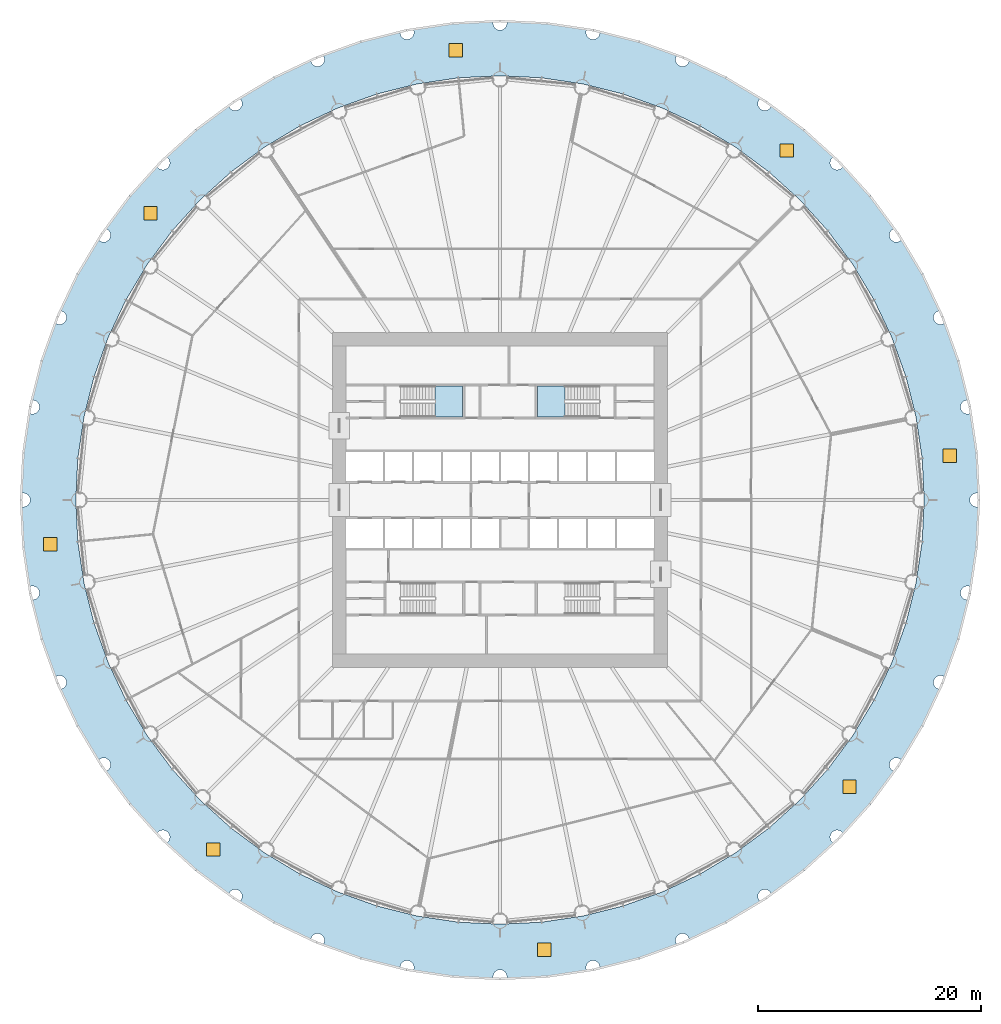
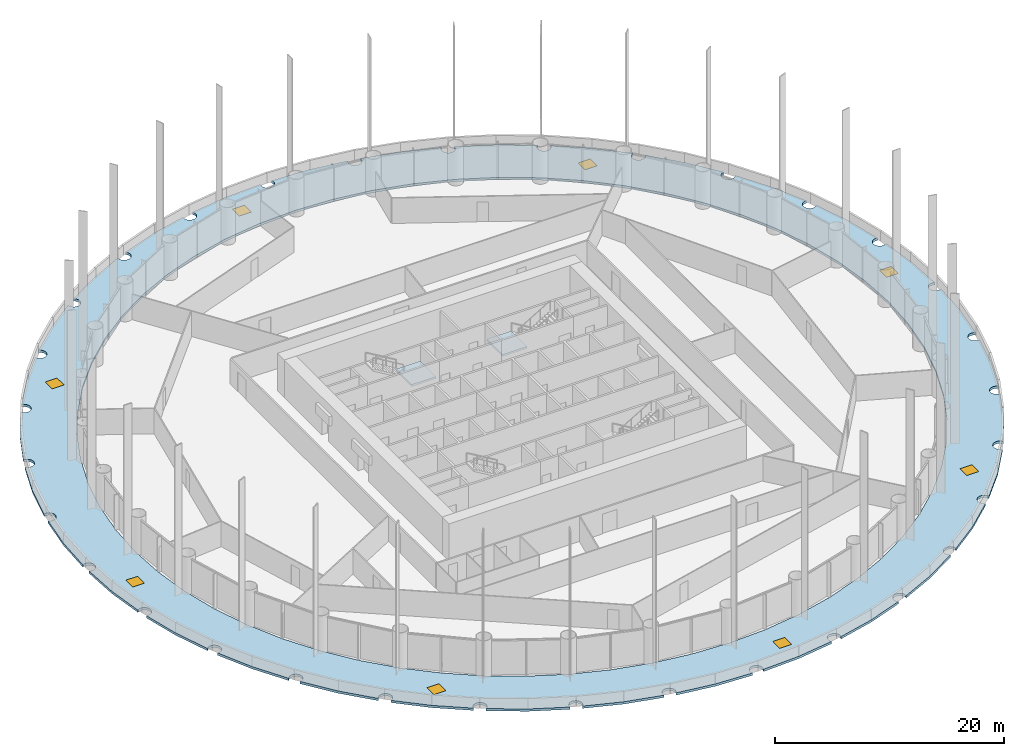
# One storey, part 7 of 17: 8 windows, 3 slabs, 8 openings, 2 elements without a shape of their own.
"""IFC4 building model written with IfcOpenShell, lengths in metres."""

from ifc_helpers import new_model, si_unit, direction, frame, origin, origin_2d, place, context, subcontext, project, spatial, polyline, rectangle, outline, extrude, material, layer, layer_set, type_object, element, fill, aggregate, save


model = new_model("IFC4")

# Units and contexts
model_context = context("Model", 3, precision=1e-05, world=origin(), true_north=direction((0.0, 1.0)))
body_context = subcontext(model_context, "Body", "Model", "MODEL_VIEW")
ifc_project = project(units=[si_unit("LENGTHUNIT", "METRE"), si_unit("AREAUNIT", "SQUARE_METRE"), si_unit("VOLUMEUNIT", "CUBIC_METRE"), si_unit("PLANEANGLEUNIT", "RADIAN"), si_unit("MASSUNIT", "GRAM", prefix="KILO")], contexts=[model_context])

# Site, building, storey
site_placement = place(None, origin())
site = spatial("IfcSite", under=ifc_project, at=site_placement, CompositionType="ELEMENT")
building_placement = place(site_placement, origin())
building = spatial("IfcBuilding", under=site, at=building_placement, Name="Corvane Civic Tower", CompositionType="ELEMENT")
storey_placement = place(building_placement, frame((0.0, 0.0, 37.0)))
storey = spatial("IfcBuildingStorey", under=building, at=storey_placement, Name="L07", CompositionType="ELEMENT", Elevation=37.0)

# Slab, openings, windows
ifc_material_1 = material(Name="Concrete C40/50", Category="concrete")
ifc_layer_1 = layer(ifc_material_1, 0.25)
ifc_layer_set_1 = layer_set([ifc_layer_1], Name="Concrete C40/50")
slab_type_1 = type_object("IfcSlabType", Name="PODIUM-SL-DRUMROOF-250", PredefinedType="ROOF", material=ifc_layer_set_1)
slab_1_placement = place(storey_placement, frame((0.0, 0.0, -0.25)))
slab_1 = element("IfcSlab", 1, at=slab_1_placement, inside=storey, type_object=slab_type_1, Name="Drum roof slab", PredefinedType="ROOF", context=body_context, shape_type="SweptSolid", body=[
    extrude(outline(polyline([(7.84326171875, 42.2548828125), (4.21484375, 42.79296875), (0.55224609375, 42.972900390625), (0.598876953125, 42.8603515625), (0.6201171875, 42.699951171875), (0.598876953125, 42.53955078125), (0.536865234375, 42.389892578125), (0.4384765625, 42.261474609375), (0.31005859375, 42.1630859375), (0.160400390625, 42.10107421875), (0.0, 42.080078125), (-0.160400390625, 42.10107421875), (-0.31005859375, 42.1630859375), (-0.4384765625, 42.261474609375), (-0.536865234375, 42.389892578125), (-0.598876953125, 42.53955078125), (-0.6201171875, 42.699951171875), (-0.598876953125, 42.8603515625), (-0.55224609375, 42.972900390625), (-4.21484375, 42.79296875), (-7.84326171875, 42.2548828125), (-7.79345703125, 42.189697265625), (-7.7314453125, 42.0400390625), (-7.710205078125, 41.879638671875), (-7.7314453125, 41.71923828125), (-7.79345703125, 41.569580078125), (-7.891845703125, 41.441162109375), (-8.020263671875, 41.3427734375), (-8.169921875, 41.28076171875), (-8.330322265625, 41.259521484375), (-8.49072265625, 41.28076171875), (-8.640380859375, 41.3427734375), (-8.768798828125, 41.441162109375), (-8.8671875, 41.569580078125), (-8.92919921875, 41.71923828125), (-8.9501953125, 41.879638671875), (-8.929443359375, 42.038330078125), (-12.482177734375, 41.1484375), (-15.934814453125, 39.9130859375), (-15.902099609375, 39.88818359375), (-15.8037109375, 39.759765625), (-15.74169921875, 39.610107421875), (-15.720703125, 39.44970703125), (-15.74169921875, 39.289306640625), (-15.8037109375, 39.1396484375), (-15.902099609375, 39.01123046875), (-16.030517578125, 38.912841796875), (-16.18017578125, 38.850830078125), (-16.340576171875, 38.82958984375), (-16.5009765625, 38.850830078125), (-16.650634765625, 38.912841796875), (-16.779052734375, 39.01123046875), (-16.87744140625, 39.1396484375), (-16.939453125, 39.289306640625), (-16.960693359375, 39.44970703125), (-16.955078125, 39.490478515625), (-20.27001953125, 37.922607421875), (-23.41162109375, 36.03955078125), (-23.284423828125, 35.942138671875), (-23.18603515625, 35.813720703125), (-23.1240234375, 35.6640625), (-23.102783203125, 35.503662109375), (-23.1240234375, 35.34326171875), (-23.18603515625, 35.193603515625), (-23.284423828125, 35.065185546875), (-23.412841796875, 34.966796875), (-23.5625, 34.90478515625), (-23.722900390625, 34.8837890625), (-23.88330078125, 34.90478515625), (-24.032958984375, 34.966796875), (-24.161376953125, 35.065185546875), (-24.259765625, 35.193603515625), (-24.32177734375, 35.34326171875), (-24.33251953125, 35.424560546875), (-27.27880859375, 33.239501953125), (-29.995849609375, 30.77685546875), (-29.88330078125, 30.730224609375), (-29.7548828125, 30.6318359375), (-29.656494140625, 30.50341796875), (-29.594482421875, 30.353759765625), (-29.573486328125, 30.193359375), (-29.594482421875, 30.032958984375), (-29.656494140625, 29.88330078125), (-29.7548828125, 29.7548828125), (-29.88330078125, 29.656494140625), (-30.032958984375, 29.594482421875), (-30.193359375, 29.573486328125), (-30.353759765625, 29.594482421875), (-30.50341796875, 29.656494140625), (-30.6318359375, 29.7548828125), (-30.730224609375, 29.88330078125), (-30.77685546875, 29.995849609375), (-33.239501953125, 27.27880859375), (-35.424560546875, 24.33251953125), (-35.34326171875, 24.32177734375), (-35.193603515625, 24.259765625), (-35.065185546875, 24.161376953125), (-34.966796875, 24.032958984375), (-34.90478515625, 23.88330078125), (-34.8837890625, 23.722900390625), (-34.90478515625, 23.5625), (-34.966796875, 23.412841796875), (-35.065185546875, 23.284423828125), (-35.193603515625, 23.18603515625), (-35.34326171875, 23.1240234375), (-35.503662109375, 23.102783203125), (-35.6640625, 23.1240234375), (-35.813720703125, 23.18603515625), (-35.942138671875, 23.284423828125), (-36.03955078125, 23.41162109375), (-37.922607421875, 20.27001953125), (-39.490478515625, 16.955078125), (-39.44970703125, 16.960693359375), (-39.289306640625, 16.939453125), (-39.1396484375, 16.87744140625), (-39.01123046875, 16.779052734375), (-38.912841796875, 16.650634765625), (-38.850830078125, 16.5009765625), (-38.82958984375, 16.340576171875), (-38.850830078125, 16.18017578125), (-38.912841796875, 16.030517578125), (-39.01123046875, 15.902099609375), (-39.1396484375, 15.8037109375), (-39.289306640625, 15.74169921875), (-39.44970703125, 15.720703125), (-39.610107421875, 15.74169921875), (-39.759765625, 15.8037109375), (-39.88818359375, 15.902099609375), (-39.9130859375, 15.934814453125), (-41.1484375, 12.482177734375), (-42.038330078125, 8.929443359375), (-41.879638671875, 8.9501953125), (-41.71923828125, 8.92919921875), (-41.569580078125, 8.8671875), (-41.441162109375, 8.768798828125), (-41.3427734375, 8.640380859375), (-41.28076171875, 8.49072265625), (-41.259521484375, 8.330322265625), (-41.28076171875, 8.169921875), (-41.3427734375, 8.020263671875), (-41.441162109375, 7.891845703125), (-41.569580078125, 7.79345703125), (-41.71923828125, 7.7314453125), (-41.879638671875, 7.710205078125), (-42.0400390625, 7.7314453125), (-42.189697265625, 7.79345703125), (-42.2548828125, 7.84326171875), (-42.79296875, 4.21484375), (-42.972900390625, 0.55224609375), (-42.8603515625, 0.598876953125), (-42.699951171875, 0.6201171875), (-42.53955078125, 0.598876953125), (-42.389892578125, 0.536865234375), (-42.261474609375, 0.4384765625), (-42.1630859375, 0.31005859375), (-42.10107421875, 0.160400390625), (-42.080078125, 0.0), (-42.10107421875, -0.160400390625), (-42.1630859375, -0.31005859375), (-42.261474609375, -0.4384765625), (-42.389892578125, -0.536865234375), (-42.53955078125, -0.598876953125), (-42.699951171875, -0.6201171875), (-42.8603515625, -0.598876953125), (-42.972900390625, -0.55224609375), (-42.79296875, -4.21484375), (-42.2548828125, -7.84326171875), (-42.189697265625, -7.79345703125), (-42.0400390625, -7.7314453125), (-41.879638671875, -7.710205078125), (-41.71923828125, -7.7314453125), (-41.569580078125, -7.79345703125), (-41.441162109375, -7.891845703125), (-41.3427734375, -8.020263671875), (-41.28076171875, -8.169921875), (-41.259521484375, -8.330322265625), (-41.28076171875, -8.49072265625), (-41.3427734375, -8.640380859375), (-41.441162109375, -8.768798828125), (-41.569580078125, -8.8671875), (-41.71923828125, -8.92919921875), (-41.879638671875, -8.9501953125), (-42.038330078125, -8.929443359375), (-41.1484375, -12.482177734375), (-39.9130859375, -15.934814453125), (-39.88818359375, -15.902099609375), (-39.759765625, -15.8037109375), (-39.610107421875, -15.74169921875), (-39.44970703125, -15.720703125), (-39.289306640625, -15.74169921875), (-39.1396484375, -15.8037109375), (-39.01123046875, -15.902099609375), (-38.912841796875, -16.030517578125), (-38.850830078125, -16.18017578125), (-38.82958984375, -16.340576171875), (-38.850830078125, -16.5009765625), (-38.912841796875, -16.650634765625), (-39.01123046875, -16.779052734375), (-39.1396484375, -16.87744140625), (-39.289306640625, -16.939453125), (-39.44970703125, -16.960693359375), (-39.490478515625, -16.955078125), (-37.922607421875, -20.27001953125), (-36.03955078125, -23.41162109375), (-35.942138671875, -23.284423828125), (-35.813720703125, -23.18603515625), (-35.6640625, -23.1240234375), (-35.503662109375, -23.102783203125), (-35.34326171875, -23.1240234375), (-35.193603515625, -23.18603515625), (-35.065185546875, -23.284423828125), (-34.966796875, -23.412841796875), (-34.90478515625, -23.5625), (-34.8837890625, -23.722900390625), (-34.90478515625, -23.88330078125), (-34.966796875, -24.032958984375), (-35.065185546875, -24.161376953125), (-35.193603515625, -24.259765625), (-35.34326171875, -24.32177734375), (-35.424560546875, -24.33251953125), (-33.239501953125, -27.27880859375), (-30.77685546875, -29.995849609375), (-30.730224609375, -29.88330078125), (-30.6318359375, -29.7548828125), (-30.50341796875, -29.656494140625), (-30.353759765625, -29.594482421875), (-30.193359375, -29.573486328125), (-30.032958984375, -29.594482421875), (-29.88330078125, -29.656494140625), (-29.7548828125, -29.7548828125), (-29.656494140625, -29.88330078125), (-29.594482421875, -30.032958984375), (-29.573486328125, -30.193359375), (-29.594482421875, -30.353759765625), (-29.656494140625, -30.50341796875), (-29.7548828125, -30.6318359375), (-29.88330078125, -30.730224609375), (-29.995849609375, -30.77685546875), (-27.27880859375, -33.239501953125), (-24.33251953125, -35.424560546875), (-24.32177734375, -35.34326171875), (-24.259765625, -35.193603515625), (-24.161376953125, -35.065185546875), (-24.032958984375, -34.966796875), (-23.88330078125, -34.90478515625), (-23.722900390625, -34.8837890625), (-23.5625, -34.90478515625), (-23.412841796875, -34.966796875), (-23.284423828125, -35.065185546875), (-23.18603515625, -35.193603515625), (-23.1240234375, -35.34326171875), (-23.102783203125, -35.503662109375), (-23.1240234375, -35.6640625), (-23.18603515625, -35.813720703125), (-23.284423828125, -35.942138671875), (-23.41162109375, -36.03955078125), (-20.27001953125, -37.922607421875), (-16.955078125, -39.490478515625), (-16.960693359375, -39.44970703125), (-16.939453125, -39.289306640625), (-16.87744140625, -39.1396484375), (-16.779052734375, -39.01123046875), (-16.650634765625, -38.912841796875), (-16.5009765625, -38.850830078125), (-16.340576171875, -38.82958984375), (-16.18017578125, -38.850830078125), (-16.030517578125, -38.912841796875), (-15.902099609375, -39.01123046875), (-15.8037109375, -39.1396484375), (-15.74169921875, -39.289306640625), (-15.720703125, -39.44970703125), (-15.74169921875, -39.610107421875), (-15.8037109375, -39.759765625), (-15.902099609375, -39.88818359375), (-15.934814453125, -39.9130859375), (-12.482177734375, -41.1484375), (-8.929443359375, -42.038330078125), (-8.9501953125, -41.879638671875), (-8.92919921875, -41.71923828125), (-8.8671875, -41.569580078125), (-8.768798828125, -41.441162109375), (-8.640380859375, -41.3427734375), (-8.49072265625, -41.28076171875), (-8.330322265625, -41.259521484375), (-8.169921875, -41.28076171875), (-8.020263671875, -41.3427734375), (-7.891845703125, -41.441162109375), (-7.79345703125, -41.569580078125), (-7.7314453125, -41.71923828125), (-7.710205078125, -41.879638671875), (-7.7314453125, -42.0400390625), (-7.79345703125, -42.189697265625), (-7.84326171875, -42.2548828125), (-4.21484375, -42.79296875), (-0.55224609375, -42.972900390625), (-0.598876953125, -42.8603515625), (-0.6201171875, -42.699951171875), (-0.598876953125, -42.53955078125), (-0.536865234375, -42.389892578125), (-0.4384765625, -42.261474609375), (-0.31005859375, -42.1630859375), (-0.160400390625, -42.10107421875), (0.0, -42.080078125), (0.160400390625, -42.10107421875), (0.31005859375, -42.1630859375), (0.4384765625, -42.261474609375), (0.536865234375, -42.389892578125), (0.598876953125, -42.53955078125), (0.6201171875, -42.699951171875), (0.598876953125, -42.8603515625), (0.55224609375, -42.972900390625), (4.21484375, -42.79296875), (7.84326171875, -42.2548828125), (7.79345703125, -42.189697265625), (7.7314453125, -42.0400390625), (7.710205078125, -41.879638671875), (7.7314453125, -41.71923828125), (7.79345703125, -41.569580078125), (7.891845703125, -41.441162109375), (8.020263671875, -41.3427734375), (8.169921875, -41.28076171875), (8.330322265625, -41.259521484375), (8.49072265625, -41.28076171875), (8.640380859375, -41.3427734375), (8.768798828125, -41.441162109375), (8.8671875, -41.569580078125), (8.92919921875, -41.71923828125), (8.9501953125, -41.879638671875), (8.929443359375, -42.038330078125), (12.482177734375, -41.1484375), (15.934814453125, -39.9130859375), (15.902099609375, -39.88818359375), (15.8037109375, -39.759765625), (15.74169921875, -39.610107421875), (15.720703125, -39.44970703125), (15.74169921875, -39.289306640625), (15.8037109375, -39.1396484375), (15.902099609375, -39.01123046875), (16.030517578125, -38.912841796875), (16.18017578125, -38.850830078125), (16.340576171875, -38.82958984375), (16.5009765625, -38.850830078125), (16.650634765625, -38.912841796875), (16.779052734375, -39.01123046875), (16.87744140625, -39.1396484375), (16.939453125, -39.289306640625), (16.960693359375, -39.44970703125), (16.955078125, -39.490478515625), (20.27001953125, -37.922607421875), (23.41162109375, -36.03955078125), (23.284423828125, -35.942138671875), (23.18603515625, -35.813720703125), (23.1240234375, -35.6640625), (23.102783203125, -35.503662109375), (23.1240234375, -35.34326171875), (23.18603515625, -35.193603515625), (23.284423828125, -35.065185546875), (23.412841796875, -34.966796875), (23.5625, -34.90478515625), (23.722900390625, -34.8837890625), (23.88330078125, -34.90478515625), (24.032958984375, -34.966796875), (24.161376953125, -35.065185546875), (24.259765625, -35.193603515625), (24.32177734375, -35.34326171875), (24.33251953125, -35.424560546875), (27.27880859375, -33.239501953125), (29.995849609375, -30.77685546875), (29.88330078125, -30.730224609375), (29.7548828125, -30.6318359375), (29.656494140625, -30.50341796875), (29.594482421875, -30.353759765625), (29.573486328125, -30.193359375), (29.594482421875, -30.032958984375), (29.656494140625, -29.88330078125), (29.7548828125, -29.7548828125), (29.88330078125, -29.656494140625), (30.032958984375, -29.594482421875), (30.193359375, -29.573486328125), (30.353759765625, -29.594482421875), (30.50341796875, -29.656494140625), (30.6318359375, -29.7548828125), (30.730224609375, -29.88330078125), (30.77685546875, -29.995849609375), (33.239501953125, -27.27880859375), (35.424560546875, -24.33251953125), (35.34326171875, -24.32177734375), (35.193603515625, -24.259765625), (35.065185546875, -24.161376953125), (34.966796875, -24.032958984375), (34.90478515625, -23.88330078125), (34.8837890625, -23.722900390625), (34.90478515625, -23.5625), (34.966796875, -23.412841796875), (35.065185546875, -23.284423828125), (35.193603515625, -23.18603515625), (35.34326171875, -23.1240234375), (35.503662109375, -23.102783203125), (35.6640625, -23.1240234375), (35.813720703125, -23.18603515625), (35.942138671875, -23.284423828125), (36.03955078125, -23.41162109375), (37.922607421875, -20.27001953125), (39.490478515625, -16.955078125), (39.44970703125, -16.960693359375), (39.289306640625, -16.939453125), (39.1396484375, -16.87744140625), (39.01123046875, -16.779052734375), (38.912841796875, -16.650634765625), (38.850830078125, -16.5009765625), (38.82958984375, -16.340576171875), (38.850830078125, -16.18017578125), (38.912841796875, -16.030517578125), (39.01123046875, -15.902099609375), (39.1396484375, -15.8037109375), (39.289306640625, -15.74169921875), (39.44970703125, -15.720703125), (39.610107421875, -15.74169921875), (39.759765625, -15.8037109375), (39.88818359375, -15.902099609375), (39.9130859375, -15.934814453125), (41.1484375, -12.482177734375), (42.038330078125, -8.929443359375), (41.879638671875, -8.9501953125), (41.71923828125, -8.92919921875), (41.569580078125, -8.8671875), (41.441162109375, -8.768798828125), (41.3427734375, -8.640380859375), (41.28076171875, -8.49072265625), (41.259521484375, -8.330322265625), (41.28076171875, -8.169921875), (41.3427734375, -8.020263671875), (41.441162109375, -7.891845703125), (41.569580078125, -7.79345703125), (41.71923828125, -7.7314453125), (41.879638671875, -7.710205078125), (42.0400390625, -7.7314453125), (42.189697265625, -7.79345703125), (42.2548828125, -7.84326171875), (42.79296875, -4.21484375), (42.972900390625, -0.55224609375), (42.8603515625, -0.598876953125), (42.699951171875, -0.6201171875), (42.53955078125, -0.598876953125), (42.389892578125, -0.536865234375), (42.261474609375, -0.4384765625), (42.1630859375, -0.31005859375), (42.10107421875, -0.160400390625), (42.080078125, 0.0), (42.10107421875, 0.160400390625), (42.1630859375, 0.31005859375), (42.261474609375, 0.4384765625), (42.389892578125, 0.536865234375), (42.53955078125, 0.598876953125), (42.699951171875, 0.6201171875), (42.8603515625, 0.598876953125), (42.972900390625, 0.55224609375), (42.79296875, 4.21484375), (42.2548828125, 7.84326171875), (42.189697265625, 7.79345703125), (42.0400390625, 7.7314453125), (41.879638671875, 7.710205078125), (41.71923828125, 7.7314453125), (41.569580078125, 7.79345703125), (41.441162109375, 7.891845703125), (41.3427734375, 8.020263671875), (41.28076171875, 8.169921875), (41.259521484375, 8.330322265625), (41.28076171875, 8.49072265625), (41.3427734375, 8.640380859375), (41.441162109375, 8.768798828125), (41.569580078125, 8.8671875), (41.71923828125, 8.92919921875), (41.879638671875, 8.9501953125), (42.038330078125, 8.929443359375), (41.1484375, 12.482177734375), (39.9130859375, 15.934814453125), (39.88818359375, 15.902099609375), (39.759765625, 15.8037109375), (39.610107421875, 15.74169921875), (39.44970703125, 15.720703125), (39.289306640625, 15.74169921875), (39.1396484375, 15.8037109375), (39.01123046875, 15.902099609375), (38.912841796875, 16.030517578125), (38.850830078125, 16.18017578125), (38.82958984375, 16.340576171875), (38.850830078125, 16.5009765625), (38.912841796875, 16.650634765625), (39.01123046875, 16.779052734375), (39.1396484375, 16.87744140625), (39.289306640625, 16.939453125), (39.44970703125, 16.960693359375), (39.490478515625, 16.955078125), (37.922607421875, 20.27001953125), (36.03955078125, 23.41162109375), (35.942138671875, 23.284423828125), (35.813720703125, 23.18603515625), (35.6640625, 23.1240234375), (35.503662109375, 23.102783203125), (35.34326171875, 23.1240234375), (35.193603515625, 23.18603515625), (35.065185546875, 23.284423828125), (34.966796875, 23.412841796875), (34.90478515625, 23.5625), (34.8837890625, 23.722900390625), (34.90478515625, 23.88330078125), (34.966796875, 24.032958984375), (35.065185546875, 24.161376953125), (35.193603515625, 24.259765625), (35.34326171875, 24.32177734375), (35.424560546875, 24.33251953125), (33.239501953125, 27.27880859375), (30.77685546875, 29.995849609375), (30.730224609375, 29.88330078125), (30.6318359375, 29.7548828125), (30.50341796875, 29.656494140625), (30.353759765625, 29.594482421875), (30.193359375, 29.573486328125), (30.032958984375, 29.594482421875), (29.88330078125, 29.656494140625), (29.7548828125, 29.7548828125), (29.656494140625, 29.88330078125), (29.594482421875, 30.032958984375), (29.573486328125, 30.193359375), (29.594482421875, 30.353759765625), (29.656494140625, 30.50341796875), (29.7548828125, 30.6318359375), (29.88330078125, 30.730224609375), (29.995849609375, 30.77685546875), (27.27880859375, 33.239501953125), (24.33251953125, 35.424560546875), (24.32177734375, 35.34326171875), (24.259765625, 35.193603515625), (24.161376953125, 35.065185546875), (24.032958984375, 34.966796875), (23.88330078125, 34.90478515625), (23.722900390625, 34.8837890625), (23.5625, 34.90478515625), (23.412841796875, 34.966796875), (23.284423828125, 35.065185546875), (23.18603515625, 35.193603515625), (23.1240234375, 35.34326171875), (23.102783203125, 35.503662109375), (23.1240234375, 35.6640625), (23.18603515625, 35.813720703125), (23.284423828125, 35.942138671875), (23.41162109375, 36.03955078125), (20.27001953125, 37.922607421875), (16.955078125, 39.490478515625), (16.960693359375, 39.44970703125), (16.939453125, 39.289306640625), (16.87744140625, 39.1396484375), (16.779052734375, 39.01123046875), (16.650634765625, 38.912841796875), (16.5009765625, 38.850830078125), (16.340576171875, 38.82958984375), (16.18017578125, 38.850830078125), (16.030517578125, 38.912841796875), (15.902099609375, 39.01123046875), (15.8037109375, 39.1396484375), (15.74169921875, 39.289306640625), (15.720703125, 39.44970703125), (15.74169921875, 39.610107421875), (15.8037109375, 39.759765625), (15.902099609375, 39.88818359375), (15.934814453125, 39.9130859375), (12.482177734375, 41.1484375), (8.929443359375, 42.038330078125), (8.9501953125, 41.879638671875), (8.92919921875, 41.71923828125), (8.8671875, 41.569580078125), (8.768798828125, 41.441162109375), (8.640380859375, 41.3427734375), (8.49072265625, 41.28076171875), (8.330322265625, 41.259521484375), (8.169921875, 41.28076171875), (8.020263671875, 41.3427734375), (7.891845703125, 41.441162109375), (7.79345703125, 41.569580078125), (7.7314453125, 41.71923828125), (7.710205078125, 41.879638671875), (7.7314453125, 42.0400390625), (7.79345703125, 42.189697265625), (7.84326171875, 42.2548828125)]), holes=[polyline([(-7.413330078125, 37.269775390625), (-3.724609375, 37.817138671875), (0.0, 38.0), (3.724609375, 37.817138671875), (7.413330078125, 37.269775390625), (11.03076171875, 36.36376953125), (14.5419921875, 35.107421875), (17.9130859375, 33.512939453125), (21.111572265625, 31.595947265625), (24.10693359375, 29.37451171875), (26.8701171875, 26.8701171875), (29.37451171875, 24.10693359375), (31.595947265625, 21.111572265625), (33.512939453125, 17.9130859375), (35.107421875, 14.5419921875), (36.36376953125, 11.03076171875), (37.269775390625, 7.413330078125), (37.817138671875, 3.724609375), (38.0, 0.0), (37.817138671875, -3.724609375), (37.269775390625, -7.413330078125), (36.36376953125, -11.03076171875), (35.107421875, -14.5419921875), (33.512939453125, -17.9130859375), (31.595947265625, -21.111572265625), (29.37451171875, -24.10693359375), (26.8701171875, -26.8701171875), (24.10693359375, -29.37451171875), (21.111572265625, -31.595947265625), (17.9130859375, -33.512939453125), (14.5419921875, -35.107421875), (11.03076171875, -36.36376953125), (7.413330078125, -37.269775390625), (3.724609375, -37.817138671875), (0.0, -38.0), (-3.724609375, -37.817138671875), (-7.413330078125, -37.269775390625), (-11.03076171875, -36.36376953125), (-14.5419921875, -35.107421875), (-17.9130859375, -33.512939453125), (-21.111572265625, -31.595947265625), (-24.10693359375, -29.37451171875), (-26.8701171875, -26.8701171875), (-29.37451171875, -24.10693359375), (-31.595947265625, -21.111572265625), (-33.512939453125, -17.9130859375), (-35.107421875, -14.5419921875), (-36.36376953125, -11.03076171875), (-37.269775390625, -7.413330078125), (-37.817138671875, -3.724609375), (-38.0, 0.0), (-37.817138671875, 3.724609375), (-37.269775390625, 7.413330078125), (-36.36376953125, 11.03076171875), (-35.107421875, 14.5419921875), (-33.512939453125, 17.9130859375), (-31.595947265625, 21.111572265625), (-29.37451171875, 24.10693359375), (-26.8701171875, 26.8701171875), (-24.10693359375, 29.37451171875), (-21.111572265625, 31.595947265625), (-17.9130859375, 33.512939453125), (-14.5419921875, 35.107421875), (-11.03076171875, 36.36376953125), (-7.413330078125, 37.269775390625)])]), origin(), (0.0, 0.0, 1.0), 0.25),
])
opening_1_placement = place(slab_1_placement, frame((-3.9697265625, 40.304931640625, 0.0)))
opening_1 = element("IfcOpeningElement", 2, at=opening_1_placement, cuts=slab_1, Name="Opening EW-L07-RL1", PredefinedType="OPENING", context=body_context, shape_type="SweptSolid", body=[
    extrude(rectangle(XDim=1.199951171875, YDim=1.199951171875, at=origin_2d()), origin(), (0.0, 0.0, 1.0), 0.25),
])
opening_2_placement = place(slab_1_placement, frame((-31.306884765625, 25.69287109375, 0.0)))
opening_2 = element("IfcOpeningElement", 3, at=opening_2_placement, cuts=slab_1, Name="Opening EW-L07-RL2", PredefinedType="OPENING", context=body_context, shape_type="SweptSolid", body=[
    extrude(rectangle(XDim=1.199951171875, YDim=1.199951171875, at=origin_2d()), origin(), (0.0, 0.0, 1.0), 0.25),
])
opening_3_placement = place(slab_1_placement, frame((-40.304931640625, -3.9697265625, 0.0)))
opening_3 = element("IfcOpeningElement", 4, at=opening_3_placement, cuts=slab_1, Name="Opening EW-L07-RL3", PredefinedType="OPENING", context=body_context, shape_type="SweptSolid", body=[
    extrude(rectangle(XDim=1.199951171875, YDim=1.199951171875, at=origin_2d()), origin(), (0.0, 0.0, 1.0), 0.25),
])
opening_4_placement = place(slab_1_placement, frame((-25.69287109375, -31.306884765625, 0.0)))
opening_4 = element("IfcOpeningElement", 5, at=opening_4_placement, cuts=slab_1, Name="Opening EW-L07-RL4", PredefinedType="OPENING", context=body_context, shape_type="SweptSolid", body=[
    extrude(rectangle(XDim=1.199951171875, YDim=1.199951171875, at=origin_2d()), origin(), (0.0, 0.0, 1.0), 0.25),
])
opening_5_placement = place(slab_1_placement, frame((3.9697265625, -40.304931640625, 0.0)))
opening_5 = element("IfcOpeningElement", 6, at=opening_5_placement, cuts=slab_1, Name="Opening EW-L07-RL5", PredefinedType="OPENING", context=body_context, shape_type="SweptSolid", body=[
    extrude(rectangle(XDim=1.199951171875, YDim=1.199951171875, at=origin_2d()), origin(), (0.0, 0.0, 1.0), 0.25),
])
opening_6_placement = place(slab_1_placement, frame((31.306884765625, -25.69287109375, 0.0)))
opening_6 = element("IfcOpeningElement", 7, at=opening_6_placement, cuts=slab_1, Name="Opening EW-L07-RL6", PredefinedType="OPENING", context=body_context, shape_type="SweptSolid", body=[
    extrude(rectangle(XDim=1.199951171875, YDim=1.199951171875, at=origin_2d()), origin(), (0.0, 0.0, 1.0), 0.25),
])
opening_7_placement = place(slab_1_placement, frame((40.304931640625, 3.9697265625, 0.0)))
opening_7 = element("IfcOpeningElement", 8, at=opening_7_placement, cuts=slab_1, Name="Opening EW-L07-RL7", PredefinedType="OPENING", context=body_context, shape_type="SweptSolid", body=[
    extrude(rectangle(XDim=1.199951171875, YDim=1.199951171875, at=origin_2d()), origin(), (0.0, 0.0, 1.0), 0.25),
])
opening_8_placement = place(slab_1_placement, frame((25.69287109375, 31.306884765625, 0.0)))
opening_8 = element("IfcOpeningElement", 9, at=opening_8_placement, cuts=slab_1, Name="Opening EW-L07-RL8", PredefinedType="OPENING", context=body_context, shape_type="SweptSolid", body=[
    extrude(rectangle(XDim=1.199951171875, YDim=1.199951171875, at=origin_2d()), origin(), (0.0, 0.0, 1.0), 0.25),
])
ifc_material_2 = material(Name="Anodised aluminium and glass", Category="aluminium")
window_type = type_object("IfcWindowType", Name="PODIUM-RL-SKYLIGHT-1200", PartitioningType="SINGLE_PANEL", PredefinedType="SKYLIGHT", material=ifc_material_2)
window_1_placement = place(opening_1_placement, frame((0.0, 0.0, 0.199951171875)))
window_1 = element("IfcWindow", 10, at=window_1_placement, inside=storey, type_object=window_type, Name="Drum roof light 1", OverallHeight=1.199951171875, OverallWidth=1.199951171875, PartitioningType="SINGLE_PANEL", PredefinedType="SKYLIGHT", context=body_context, shape_type="SweptSolid", body=[
    extrude(rectangle(XDim=1.199951171875, YDim=1.199951171875, at=origin_2d()), origin(), (0.0, 0.0, 1.0), 0.050048828125),
])
fill(opening_1, window_1)
window_2_placement = place(opening_2_placement, frame((0.0, 0.0, 0.199951171875)))
window_2 = element("IfcWindow", 11, at=window_2_placement, inside=storey, type_object=window_type, Name="Drum roof light 2", OverallHeight=1.199951171875, OverallWidth=1.199951171875, PartitioningType="SINGLE_PANEL", PredefinedType="SKYLIGHT", context=body_context, shape_type="SweptSolid", body=[
    extrude(rectangle(XDim=1.199951171875, YDim=1.199951171875, at=origin_2d()), origin(), (0.0, 0.0, 1.0), 0.050048828125),
])
fill(opening_2, window_2)
window_3_placement = place(opening_3_placement, frame((0.0, 0.0, 0.199951171875)))
window_3 = element("IfcWindow", 12, at=window_3_placement, inside=storey, type_object=window_type, Name="Drum roof light 3", OverallHeight=1.199951171875, OverallWidth=1.199951171875, PartitioningType="SINGLE_PANEL", PredefinedType="SKYLIGHT", context=body_context, shape_type="SweptSolid", body=[
    extrude(rectangle(XDim=1.199951171875, YDim=1.199951171875, at=origin_2d()), origin(), (0.0, 0.0, 1.0), 0.050048828125),
])
fill(opening_3, window_3)
window_4_placement = place(opening_4_placement, frame((0.0, 0.0, 0.199951171875)))
window_4 = element("IfcWindow", 13, at=window_4_placement, inside=storey, type_object=window_type, Name="Drum roof light 4", OverallHeight=1.199951171875, OverallWidth=1.199951171875, PartitioningType="SINGLE_PANEL", PredefinedType="SKYLIGHT", context=body_context, shape_type="SweptSolid", body=[
    extrude(rectangle(XDim=1.199951171875, YDim=1.199951171875, at=origin_2d()), origin(), (0.0, 0.0, 1.0), 0.050048828125),
])
fill(opening_4, window_4)
window_5_placement = place(opening_5_placement, frame((0.0, 0.0, 0.199951171875)))
window_5 = element("IfcWindow", 14, at=window_5_placement, inside=storey, type_object=window_type, Name="Drum roof light 5", OverallHeight=1.199951171875, OverallWidth=1.199951171875, PartitioningType="SINGLE_PANEL", PredefinedType="SKYLIGHT", context=body_context, shape_type="SweptSolid", body=[
    extrude(rectangle(XDim=1.199951171875, YDim=1.199951171875, at=origin_2d()), origin(), (0.0, 0.0, 1.0), 0.050048828125),
])
fill(opening_5, window_5)
window_6_placement = place(opening_6_placement, frame((0.0, 0.0, 0.199951171875)))
window_6 = element("IfcWindow", 15, at=window_6_placement, inside=storey, type_object=window_type, Name="Drum roof light 6", OverallHeight=1.199951171875, OverallWidth=1.199951171875, PartitioningType="SINGLE_PANEL", PredefinedType="SKYLIGHT", context=body_context, shape_type="SweptSolid", body=[
    extrude(rectangle(XDim=1.199951171875, YDim=1.199951171875, at=origin_2d()), origin(), (0.0, 0.0, 1.0), 0.050048828125),
])
fill(opening_6, window_6)
window_7_placement = place(opening_7_placement, frame((0.0, 0.0, 0.199951171875)))
window_7 = element("IfcWindow", 16, at=window_7_placement, inside=storey, type_object=window_type, Name="Drum roof light 7", OverallHeight=1.199951171875, OverallWidth=1.199951171875, PartitioningType="SINGLE_PANEL", PredefinedType="SKYLIGHT", context=body_context, shape_type="SweptSolid", body=[
    extrude(rectangle(XDim=1.199951171875, YDim=1.199951171875, at=origin_2d()), origin(), (0.0, 0.0, 1.0), 0.050048828125),
])
fill(opening_7, window_7)
window_8_placement = place(opening_8_placement, frame((0.0, 0.0, 0.199951171875)))
window_8 = element("IfcWindow", 17, at=window_8_placement, inside=storey, type_object=window_type, Name="Drum roof light 8", OverallHeight=1.199951171875, OverallWidth=1.199951171875, PartitioningType="SINGLE_PANEL", PredefinedType="SKYLIGHT", context=body_context, shape_type="SweptSolid", body=[
    extrude(rectangle(XDim=1.199951171875, YDim=1.199951171875, at=origin_2d()), origin(), (0.0, 0.0, 1.0), 0.050048828125),
])
fill(opening_8, window_8)

# Stair, slab
ifc_material_3 = material(Name="Concrete C40/50", Category="concrete")
stair_type = type_object("IfcStairType", Name="ST-STAIR-HALFTURN", PredefinedType="HALF_TURN_STAIR", material=ifc_material_3)
stair_1_placement = place(storey_placement, origin())
stair_1 = element("IfcStair", 18, at=stair_1_placement, inside=storey, type_object=stair_type, Name="L07 Exit stair ST1", PredefinedType="HALF_TURN_STAIR")
ifc_material_4 = material(Name="Concrete C40/50", Category="concrete")
ifc_layer_2 = layer(ifc_material_4, 0.199951171875)
ifc_layer_set_2 = layer_set([ifc_layer_2], Name="Concrete C40/50")
slab_type_2 = type_object("IfcSlabType", Name="ST-LANDING-RC", PredefinedType="LANDING", material=ifc_layer_set_2)
slab_2_placement = place(storey_placement, frame((0.0, 0.0, 1.800048828125)))
slab_2 = element("IfcSlab", 19, at=slab_2_placement, type_object=slab_type_2, Name="ST1 landing 1", PredefinedType="LANDING", context=body_context, shape_type="SweptSolid", body=[
    extrude(outline(polyline([(5.820068359375, 10.199951171875), (3.35009765625, 10.199951171875), (3.35009765625, 7.449951171875), (5.820068359375, 7.449951171875), (5.820068359375, 10.199951171875)])), origin(), (0.0, 0.0, 1.0), 0.199951171875),
])
aggregate(stair_1, [slab_2])

stair_2_placement = place(storey_placement, origin())
stair_2 = element("IfcStair", 20, at=stair_2_placement, inside=storey, type_object=stair_type, Name="L07 Exit stair ST4", PredefinedType="HALF_TURN_STAIR")
slab_3_placement = place(storey_placement, frame((0.0, 0.0, 1.800048828125)))
slab_3 = element("IfcSlab", 21, at=slab_3_placement, type_object=slab_type_2, Name="ST4 landing 1", PredefinedType="LANDING", context=body_context, shape_type="SweptSolid", body=[
    extrude(outline(polyline([(-5.820068359375, 7.449951171875), (-3.35009765625, 7.449951171875), (-3.35009765625, 10.199951171875), (-5.820068359375, 10.199951171875), (-5.820068359375, 7.449951171875)])), origin(), (0.0, 0.0, 1.0), 0.199951171875),
])
aggregate(stair_2, [slab_3])

save(model, "model.ifc")
